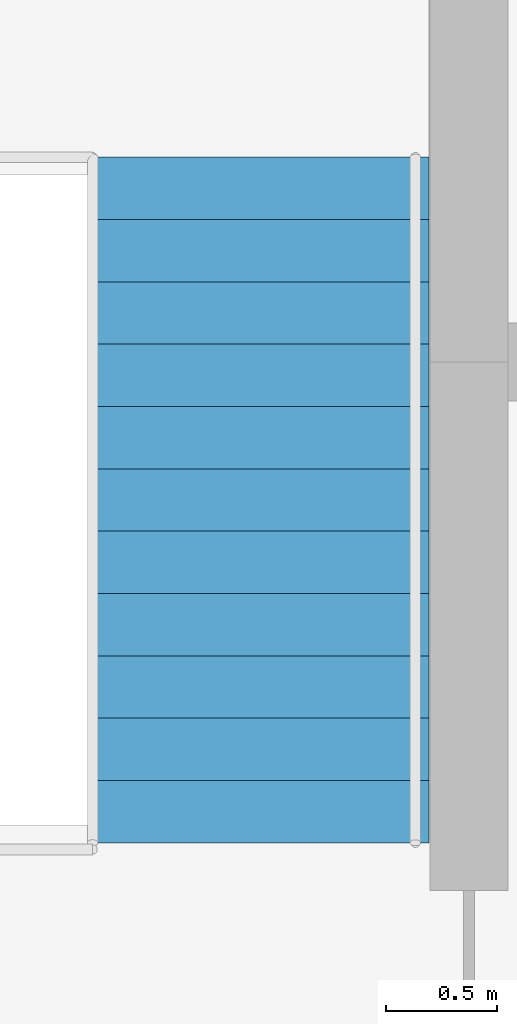
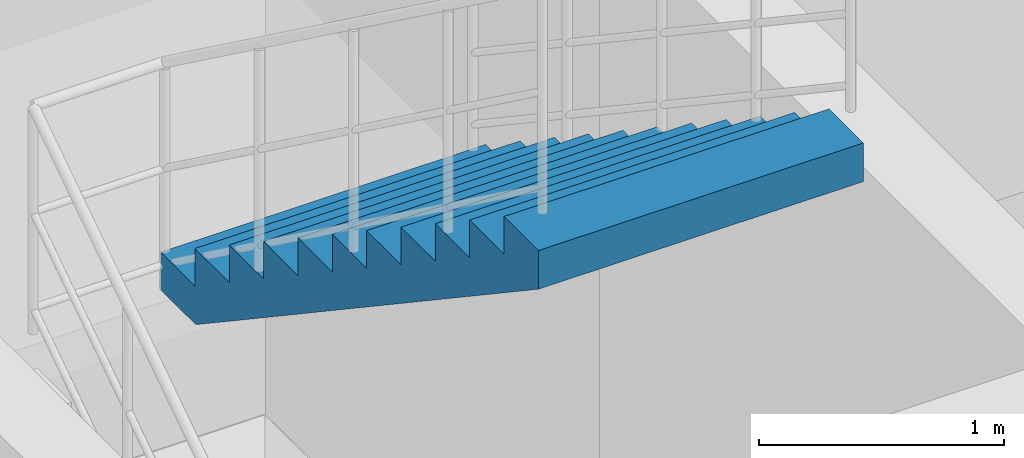
# One storey, part 30 of 31: 1 stair flight, 1 element without a shape of its own.
"""IFC4 building model written with IfcOpenShell, lengths in metres."""

from ifc_helpers import new_model, si_unit, direction, frame, origin, place, context, subcontext, project, spatial, polyline, outline, extrude, material, type_object, element, aggregate, save


model = new_model("IFC4")

# Units and contexts
model_context = context("Model", 3, precision=1e-05, world=origin(), true_north=direction((0.0, 1.0)))
body_context = subcontext(model_context, "Body", "Model", "MODEL_VIEW")
ifc_project = project(units=[si_unit("LENGTHUNIT", "METRE"), si_unit("AREAUNIT", "SQUARE_METRE"), si_unit("VOLUMEUNIT", "CUBIC_METRE"), si_unit("PLANEANGLEUNIT", "RADIAN"), si_unit("MASSUNIT", "GRAM", prefix="KILO")], contexts=[model_context])

# Site, building, storey
site_placement = place(None, origin())
site = spatial("IfcSite", under=ifc_project, at=site_placement, CompositionType="ELEMENT")
building_placement = place(site_placement, origin())
building = spatial("IfcBuilding", under=site, at=building_placement, Name="Keshet Zoharim Tower", CompositionType="ELEMENT")
storey_placement = place(building_placement, frame((0.0, 0.0, 125.300048828125)))
storey = spatial("IfcBuildingStorey", under=building, at=storey_placement, Name="L30", CompositionType="ELEMENT", Elevation=125.300048828125)

# Stair, stair flight
ifc_material = material(Name="Concrete C50/60", Category="concrete")
stair_type = type_object("IfcStairType", Name="STR-EXIT-135", PredefinedType="HALF_TURN_STAIR", material=ifc_material)
stair_placement = place(storey_placement, origin())
stair = element("IfcStair", 1, at=stair_placement, inside=storey, type_object=stair_type, Name="L30 Enclosed Exit Stair ST-02", PredefinedType="HALF_TURN_STAIR")
stair_flight_type = type_object("IfcStairFlightType", Name="FLT-PRE-135", PredefinedType="STRAIGHT", material=ifc_material)
stair_flight_placement = place(storey_placement, frame((18.054931640625, 35.919921875, 2.25), z_axis=(0.0, 0.0, 1.0), x_axis=(0.0, -1.0, 0.0)))
stair_flight = element("IfcStairFlight", 2, at=stair_flight_placement, type_object=stair_flight_type, Name="ST-02 flight 2", NumberOfRisers=12, NumberOfTreads=11, PredefinedType="STRAIGHT", RiserHeight=0.1875, TreadLength=0.28, context=body_context, shape_type="SweptSolid", body=[
    extrude(outline(polyline([(0.0, 0.0), (0.0, 0.1875), (0.280029296875, 0.1875), (0.280029296875, 0.375), (0.56005859375, 0.375), (0.56005859375, 0.5625), (0.840087890625, 0.5625), (0.840087890625, 0.75), (1.1201171875, 0.75), (1.1201171875, 0.9375), (1.39990234375, 0.9375), (1.39990234375, 1.125), (1.679931640625, 1.125), (1.679931640625, 1.3125), (1.9599609375, 1.3125), (1.9599609375, 1.5), (2.239990234375, 1.5), (2.239990234375, 1.6875), (2.52001953125, 1.6875), (2.52001953125, 1.875), (2.800048828125, 1.875), (2.800048828125, 2.0625), (3.080078125, 2.0625), (3.080078125, 2.25), (3.080078125, 1.8701171875), (0.287353515625, 0.0), (0.0, 0.0)])), frame((0.0, 0.76513671875, 0.0), z_axis=(0.0, -1.0, 0.0), x_axis=(1.0, 0.0, 0.0)), (0.0, 0.0, 1.0), 1.530029296875),
])
aggregate(stair, [stair_flight])

save(model, "model.ifc")
